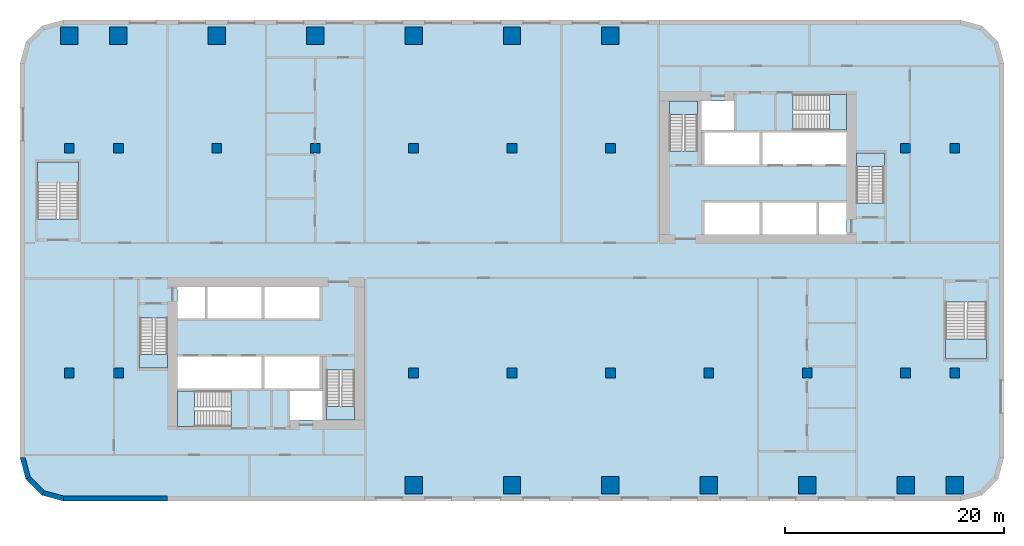
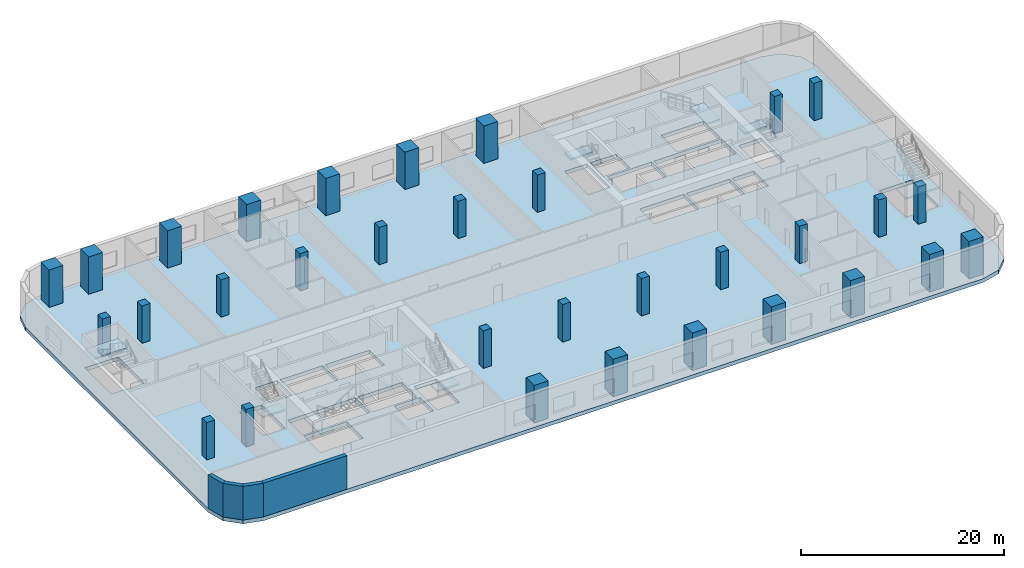
# One storey, part 1 of 15: 32 columns, 9 slabs, 4 walls, 8 elements without a shape of their own.
"""IFC4 building model written with IfcOpenShell, lengths in metres."""

from ifc_helpers import new_model, si_unit, direction, frame, frame_2d, origin, origin_2d, place, context, subcontext, project, spatial, polyline, rectangle, outline, extrude, material, layer, layer_set, material_profile, profile_set, type_object, element, aggregate, save


model = new_model("IFC4")

# Units and contexts
model_context = context("Model", 3, precision=1e-05, world=origin(), true_north=direction((0.0, 1.0)))
body_context = subcontext(model_context, "Body", "Model", "MODEL_VIEW")
ifc_project = project(units=[si_unit("LENGTHUNIT", "METRE"), si_unit("AREAUNIT", "SQUARE_METRE"), si_unit("VOLUMEUNIT", "CUBIC_METRE"), si_unit("PLANEANGLEUNIT", "RADIAN"), si_unit("MASSUNIT", "GRAM", prefix="KILO")], contexts=[model_context])

# Site, building, storey
site_placement = place(None, origin())
site = spatial("IfcSite", under=ifc_project, at=site_placement, CompositionType="ELEMENT")
building_placement = place(site_placement, origin())
building = spatial("IfcBuilding", under=site, at=building_placement, Name="Kajstack Hotel Tower", CompositionType="ELEMENT")
storey_placement = place(building_placement, frame((0.0, 0.0, 29.0)))
storey = spatial("IfcBuildingStorey", under=building, at=storey_placement, Name="L04", CompositionType="ELEMENT", Elevation=29.0)

# Columns
ifc_material_1 = material(Name="Concrete C70/85", Category="concrete")
ifc_material_profile_1 = material_profile(ifc_material_1, rectangle(XDim=1.60009765625, YDim=1.60009765625, at=origin_2d()), Name="RC 1600x1600")
ifc_profile_set_1 = profile_set([ifc_material_profile_1], Name="Concrete C70/85")
column_type_1 = type_object("IfcColumnType", Name="RC 1600x1600 C70/85", PredefinedType="COLUMN", material=ifc_profile_set_1)
for number, where, z_axis, x_axis, name in (
    (1, (-40.5, 20.550048828125, 0.0), (0.0, 0.0, 1.0), (1.0, 0.0, 0.0), "S-col-mega-L04--40p5+20p6"),
    (2, (-36.0, 20.550048828125, 0.0), (0.0, 0.0, 1.0), (1.0, 0.0, 0.0), "S-col-mega-L04--36p0+20p6"),
    (3, (-27.0, 20.550048828125, 0.0), (0.0, 0.0, 1.0), (1.0, 0.0, 0.0), "S-col-mega-L04--27p0+20p6"),
    (4, (-18.0, 20.550048828125, 0.0), (0.0, 0.0, 1.0), (1.0, 0.0, 0.0), "S-col-mega-L04--18p0+20p6"),
    (5, (-9.0, -20.550048828125, 0.0), (0.0, 0.0, 1.0), (1.0, 0.0, 0.0), "S-col-mega-L04--9p0-20p6"),
    (6, (-9.0, 20.550048828125, 0.0), (0.0, 0.0, 1.0), (1.0, 0.0, 0.0), "S-col-mega-L04--9p0+20p6"),
    (7, (0.0, -20.550048828125, 0.0), (0.0, 0.0, 1.0), (1.0, 0.0, 0.0), "S-col-mega-L04-+0p0-20p6"),
    (8, (0.0, 20.550048828125, 0.0), (0.0, 0.0, 1.0), (1.0, 0.0, 0.0), "S-col-mega-L04-+0p0+20p6"),
    (9, (9.0, -20.550048828125, 0.0), (0.0, 0.0, 1.0), (1.0, 0.0, 0.0), "S-col-mega-L04-+9p0-20p6"),
    (10, (9.0, 20.550048828125, 0.0), (0.0, 0.0, 1.0), (1.0, 0.0, 0.0), "S-col-mega-L04-+9p0+20p6"),
    (11, (18.0, -20.550048828125, 0.0), (0.0, 0.0, 1.0), (1.0, 0.0, 0.0), "S-col-mega-L04-+18p0-20p6"),
    (12, (27.0, -20.550048828125, 0.0), (0.0, 0.0, 1.0), (1.0, 0.0, 0.0), "S-col-mega-L04-+27p0-20p6"),
    (13, (36.0, -20.550048828125, 0.0), (0.0, 0.0, 1.0), (1.0, 0.0, 0.0), "S-col-mega-L04-+36p0-20p6"),
    (14, (40.5, -20.550048828125, 0.0), (0.0, 0.0, 1.0), (1.0, 0.0, 0.0), "S-col-mega-L04-+40p5-20p6"),
):
    element("IfcColumn", number, at=place(storey_placement, frame(where, z_axis=z_axis, x_axis=x_axis)), inside=storey, type_object=column_type_1, Name=name, PredefinedType="COLUMN", context=body_context, shape_type="SweptSolid", body=[
        extrude(rectangle(XDim=1.60009765625, YDim=1.60009765625, at=origin_2d()), origin(), (0.0, 0.0, 1.0), 4.5),
    ])
ifc_material_2 = material(Name="Concrete C50/60", Category="concrete")
ifc_material_profile_2 = material_profile(ifc_material_2, rectangle(XDim=0.89990234375, YDim=0.89990234375, at=origin_2d()), Name="RC 900x900")
ifc_profile_set_2 = profile_set([ifc_material_profile_2], Name="Concrete C50/60")
column_type_2 = type_object("IfcColumnType", Name="RC 900x900 C50/60", PredefinedType="COLUMN", material=ifc_profile_set_2)
for number, where, z_axis, x_axis, name in (
    (15, (-40.5, -10.27490234375, 0.0), (0.0, 0.0, 1.0), (1.0, 0.0, 0.0), "S-col-int-L04--40p5-10p3"),
    (16, (-40.5, 10.27490234375, 0.0), (0.0, 0.0, 1.0), (1.0, 0.0, 0.0), "S-col-int-L04--40p5+10p3"),
    (17, (-36.0, -10.27490234375, 0.0), (0.0, 0.0, 1.0), (1.0, 0.0, 0.0), "S-col-int-L04--36p0-10p3"),
    (18, (-36.0, 10.27490234375, 0.0), (0.0, 0.0, 1.0), (1.0, 0.0, 0.0), "S-col-int-L04--36p0+10p3"),
    (19, (-27.0, 10.27490234375, 0.0), (0.0, 0.0, 1.0), (1.0, 0.0, 0.0), "S-col-int-L04--27p0+10p3"),
    (20, (-18.0, 10.27490234375, 0.0), (0.0, 0.0, 1.0), (1.0, 0.0, 0.0), "S-col-int-L04--18p0+10p3"),
    (21, (-9.0, -10.27490234375, 0.0), (0.0, 0.0, 1.0), (1.0, 0.0, 0.0), "S-col-int-L04--9p0-10p3"),
    (22, (-9.0, 10.27490234375, 0.0), (0.0, 0.0, 1.0), (1.0, 0.0, 0.0), "S-col-int-L04--9p0+10p3"),
    (23, (0.0, -10.27490234375, 0.0), (0.0, 0.0, 1.0), (1.0, 0.0, 0.0), "S-col-int-L04-+0p0-10p3"),
    (24, (0.0, 10.27490234375, 0.0), (0.0, 0.0, 1.0), (1.0, 0.0, 0.0), "S-col-int-L04-+0p0+10p3"),
    (25, (9.0, -10.27490234375, 0.0), (0.0, 0.0, 1.0), (1.0, 0.0, 0.0), "S-col-int-L04-+9p0-10p3"),
    (26, (9.0, 10.27490234375, 0.0), (0.0, 0.0, 1.0), (1.0, 0.0, 0.0), "S-col-int-L04-+9p0+10p3"),
    (27, (18.0, -10.27490234375, 0.0), (0.0, 0.0, 1.0), (1.0, 0.0, 0.0), "S-col-int-L04-+18p0-10p3"),
    (28, (27.0, -10.27490234375, 0.0), (0.0, 0.0, 1.0), (1.0, 0.0, 0.0), "S-col-int-L04-+27p0-10p3"),
    (29, (36.0, -10.27490234375, 0.0), (0.0, 0.0, 1.0), (1.0, 0.0, 0.0), "S-col-int-L04-+36p0-10p3"),
    (30, (36.0, 10.27490234375, 0.0), (0.0, 0.0, 1.0), (1.0, 0.0, 0.0), "S-col-int-L04-+36p0+10p3"),
    (31, (40.5, -10.27490234375, 0.0), (0.0, 0.0, 1.0), (1.0, 0.0, 0.0), "S-col-int-L04-+40p5-10p3"),
    (32, (40.5, 10.27490234375, 0.0), (0.0, 0.0, 1.0), (1.0, 0.0, 0.0), "S-col-int-L04-+40p5+10p3"),
):
    element("IfcColumn", number, at=place(storey_placement, frame(where, z_axis=z_axis, x_axis=x_axis)), inside=storey, type_object=column_type_2, Name=name, PredefinedType="COLUMN", context=body_context, shape_type="SweptSolid", body=[
        extrude(rectangle(XDim=0.89990234375, YDim=0.89990234375, at=origin_2d()), origin(), (0.0, 0.0, 1.0), 4.5),
    ])

# Slab
ifc_material_3 = material(Name="Concrete C45/55", Category="concrete")
ifc_layer_1 = layer(ifc_material_3, 0.449951171875)
ifc_layer_set_1 = layer_set([ifc_layer_1], Name="RC slab 450 C45/55 podium")
slab_type_1 = type_object("IfcSlabType", Name="RC slab 450 C45/55 podium", PredefinedType="FLOOR", material=ifc_layer_set_1)
slab_1_placement = place(storey_placement, frame((0.0, 0.0, -0.449951171875)))
element("IfcSlab", 33, at=slab_1_placement, inside=storey, type_object=slab_type_1, Name="S-slab-L04", PredefinedType="FLOOR", context=body_context, shape_type="SweptSolid", body=[
    extrude(outline(polyline([(-45.0, -18.0), (-44.464111328125, -20.0), (-43.0, -21.464111328125), (-41.0, -22.0), (41.0, -22.0), (43.0, -21.464111328125), (44.464111328125, -20.0), (45.0, -18.0), (45.0, 18.0), (44.464111328125, 20.0), (43.0, 21.464111328125), (41.0, 22.0), (-41.0, 22.0), (-43.0, 21.464111328125), (-44.464111328125, 20.0), (-45.0, 18.0), (-45.0, -18.0)]), holes=[polyline([(-30.60009765625, -11.699951171875), (-30.60009765625, -8.800048828125), (-22.89990234375, -8.800048828125), (-22.89990234375, -11.699951171875), (-30.60009765625, -11.699951171875)]), polyline([(-22.64990234375, -11.699951171875), (-22.64990234375, -8.800048828125), (-17.60009765625, -8.800048828125), (-17.60009765625, -11.699951171875), (-22.64990234375, -11.699951171875)]), polyline([(-27.85009765625, -5.300048828125), (-27.85009765625, -2.39990234375), (-22.89990234375, -2.39990234375), (-22.89990234375, -5.300048828125), (-27.85009765625, -5.300048828125)]), polyline([(-22.64990234375, -5.300048828125), (-22.64990234375, -2.39990234375), (-17.60009765625, -2.39990234375), (-17.60009765625, -5.300048828125), (-22.64990234375, -5.300048828125)]), polyline([(-20.300048828125, -14.60009765625), (-17.35009765625, -14.60009765625), (-17.35009765625, -11.949951171875), (-20.300048828125, -11.949951171875), (-20.300048828125, -14.60009765625)]), polyline([(-30.60009765625, -5.300048828125), (-28.10009765625, -5.300048828125), (-28.10009765625, -2.39990234375), (-30.60009765625, -2.39990234375), (-30.60009765625, -5.300048828125)]), polyline([(22.89990234375, 8.800048828125), (22.89990234375, 11.699951171875), (30.60009765625, 11.699951171875), (30.60009765625, 8.800048828125), (22.89990234375, 8.800048828125)]), polyline([(17.60009765625, 8.800048828125), (17.60009765625, 11.699951171875), (22.64990234375, 11.699951171875), (22.64990234375, 8.800048828125), (17.60009765625, 8.800048828125)]), polyline([(22.89990234375, 2.39990234375), (22.89990234375, 5.300048828125), (27.85009765625, 5.300048828125), (27.85009765625, 2.39990234375), (22.89990234375, 2.39990234375)]), polyline([(17.60009765625, 2.39990234375), (17.60009765625, 5.300048828125), (22.64990234375, 5.300048828125), (22.64990234375, 2.39990234375), (17.60009765625, 2.39990234375)]), polyline([(20.300048828125, 14.60009765625), (17.35009765625, 14.60009765625), (17.35009765625, 11.949951171875), (20.300048828125, 11.949951171875), (20.300048828125, 14.60009765625)]), polyline([(30.60009765625, 5.300048828125), (28.10009765625, 5.300048828125), (28.10009765625, 2.39990234375), (30.60009765625, 2.39990234375), (30.60009765625, 5.300048828125)]), polyline([(-34.050048828125, -9.85009765625), (-31.5, -9.85009765625), (-31.5, -5.25), (-34.050048828125, -5.25), (-34.050048828125, -9.85009765625)]), polyline([(-16.949951171875, -14.60009765625), (-14.39990234375, -14.60009765625), (-14.39990234375, -10.0), (-16.949951171875, -10.0), (-16.949951171875, -14.60009765625)]), polyline([(-30.60009765625, -15.199951171875), (-25.699951171875, -15.199951171875), (-25.699951171875, -11.949951171875), (-30.60009765625, -11.949951171875), (-30.60009765625, -15.199951171875)]), polyline([(34.050048828125, 9.85009765625), (31.5, 9.85009765625), (31.5, 5.25), (34.050048828125, 5.25), (34.050048828125, 9.85009765625)]), polyline([(16.949951171875, 14.60009765625), (14.39990234375, 14.60009765625), (14.39990234375, 10.0), (16.949951171875, 10.0), (16.949951171875, 14.60009765625)]), polyline([(30.60009765625, 15.199951171875), (25.699951171875, 15.199951171875), (25.699951171875, 11.949951171875), (30.60009765625, 11.949951171875), (30.60009765625, 15.199951171875)]), polyline([(-43.39990234375, 3.800048828125), (-39.64990234375, 3.800048828125), (-39.64990234375, 9.0), (-43.39990234375, 9.0), (-43.39990234375, 3.800048828125)]), polyline([(39.64990234375, -9.0), (43.39990234375, -9.0), (43.39990234375, -3.800048828125), (39.64990234375, -3.800048828125), (39.64990234375, -9.0)])]), origin(), (0.0, 0.0, 1.0), 0.449951171875),
])

# Stair, slab
ifc_material_4 = material(Name="Concrete C40/50", Category="concrete")
stair_type_1 = type_object("IfcStairType", Name="Exit stair 1200", PredefinedType="HALF_TURN_STAIR", material=ifc_material_4)
stair_1_placement = place(storey_placement, origin())
stair_1 = element("IfcStair", 34, at=stair_1_placement, inside=storey, type_object=stair_type_1, Name="L04 stair W1", PredefinedType="HALF_TURN_STAIR")
ifc_layer_2 = layer(ifc_material_4, 0.199951171875)
ifc_layer_set_2 = layer_set([ifc_layer_2], Name="Stair landing 200")
slab_type_2 = type_object("IfcSlabType", Name="Stair landing 200", PredefinedType="LANDING", material=ifc_layer_set_2)
slab_2_placement = place(storey_placement, frame((0.0, 0.0, 2.050048828125)))
slab_2 = element("IfcSlab", 35, at=slab_2_placement, type_object=slab_type_2, Name="W1 landing 1", PredefinedType="LANDING", context=body_context, shape_type="SweptSolid", body=[
    extrude(outline(polyline([(-34.050048828125, -8.610107421875), (-34.050048828125, -9.85009765625), (-31.5, -9.85009765625), (-31.5, -8.610107421875), (-34.050048828125, -8.610107421875)])), origin(), (0.0, 0.0, 1.0), 0.199951171875),
])
aggregate(stair_1, [slab_2])

stair_2_placement = place(storey_placement, origin())
stair_2 = element("IfcStair", 36, at=stair_2_placement, inside=storey, type_object=stair_type_1, Name="L04 stair W2", PredefinedType="HALF_TURN_STAIR")
slab_3_placement = place(storey_placement, frame((0.0, 0.0, 2.050048828125)))
slab_3 = element("IfcSlab", 37, at=slab_3_placement, type_object=slab_type_2, Name="W2 landing 1", PredefinedType="LANDING", context=body_context, shape_type="SweptSolid", body=[
    extrude(outline(polyline([(-16.949951171875, -13.360107421875), (-16.949951171875, -14.60009765625), (-14.39990234375, -14.60009765625), (-14.39990234375, -13.360107421875), (-16.949951171875, -13.360107421875)])), origin(), (0.0, 0.0, 1.0), 0.199951171875),
])
aggregate(stair_2, [slab_3])

stair_type_2 = type_object("IfcStairType", Name="Exit stair 1500", PredefinedType="HALF_TURN_STAIR", material=ifc_material_4)
stair_3_placement = place(storey_placement, origin())
stair_3 = element("IfcStair", 38, at=stair_3_placement, inside=storey, type_object=stair_type_2, Name="L04 stair W3", PredefinedType="HALF_TURN_STAIR")
slab_4_placement = place(storey_placement, frame((0.0, 0.0, 2.050048828125)))
slab_4 = element("IfcSlab", 39, at=slab_4_placement, type_object=slab_type_2, Name="W3 landing 1", PredefinedType="LANDING", context=body_context, shape_type="SweptSolid", body=[
    extrude(outline(polyline([(-29.06005859375, -11.949951171875), (-30.60009765625, -11.949951171875), (-30.60009765625, -15.199951171875), (-29.06005859375, -15.199951171875), (-29.06005859375, -11.949951171875)])), origin(), (0.0, 0.0, 1.0), 0.199951171875),
])
aggregate(stair_3, [slab_4])

stair_4_placement = place(storey_placement, origin())
stair_4 = element("IfcStair", 40, at=stair_4_placement, inside=storey, type_object=stair_type_1, Name="L04 stair E1", PredefinedType="HALF_TURN_STAIR")
slab_5_placement = place(storey_placement, frame((0.0, 0.0, 2.050048828125)))
slab_5 = element("IfcSlab", 41, at=slab_5_placement, type_object=slab_type_2, Name="E1 landing 1", PredefinedType="LANDING", context=body_context, shape_type="SweptSolid", body=[
    extrude(outline(polyline([(34.050048828125, 8.610107421875), (34.050048828125, 9.85009765625), (31.5, 9.85009765625), (31.5, 8.610107421875), (34.050048828125, 8.610107421875)])), origin(), (0.0, 0.0, 1.0), 0.199951171875),
])
aggregate(stair_4, [slab_5])

stair_5_placement = place(storey_placement, origin())
stair_5 = element("IfcStair", 42, at=stair_5_placement, inside=storey, type_object=stair_type_1, Name="L04 stair E2", PredefinedType="HALF_TURN_STAIR")
slab_6_placement = place(storey_placement, frame((0.0, 0.0, 2.050048828125)))
slab_6 = element("IfcSlab", 43, at=slab_6_placement, type_object=slab_type_2, Name="E2 landing 1", PredefinedType="LANDING", context=body_context, shape_type="SweptSolid", body=[
    extrude(outline(polyline([(16.949951171875, 13.360107421875), (16.949951171875, 14.60009765625), (14.39990234375, 14.60009765625), (14.39990234375, 13.360107421875), (16.949951171875, 13.360107421875)])), origin(), (0.0, 0.0, 1.0), 0.199951171875),
])
aggregate(stair_5, [slab_6])

stair_6_placement = place(storey_placement, origin())
stair_6 = element("IfcStair", 44, at=stair_6_placement, inside=storey, type_object=stair_type_2, Name="L04 stair E3", PredefinedType="HALF_TURN_STAIR")
slab_7_placement = place(storey_placement, frame((0.0, 0.0, 2.050048828125)))
slab_7 = element("IfcSlab", 45, at=slab_7_placement, type_object=slab_type_2, Name="E3 landing 1", PredefinedType="LANDING", context=body_context, shape_type="SweptSolid", body=[
    extrude(outline(polyline([(29.06005859375, 11.949951171875), (30.60009765625, 11.949951171875), (30.60009765625, 15.199951171875), (29.06005859375, 15.199951171875), (29.06005859375, 11.949951171875)])), origin(), (0.0, 0.0, 1.0), 0.199951171875),
])
aggregate(stair_6, [slab_7])

stair_type_3 = type_object("IfcStairType", Name="Escape stair 1800", PredefinedType="HALF_TURN_STAIR", material=ifc_material_4)
stair_7_placement = place(storey_placement, origin())
stair_7 = element("IfcStair", 46, at=stair_7_placement, inside=storey, type_object=stair_type_3, Name="L04 stair P1", PredefinedType="HALF_TURN_STAIR")
slab_8_placement = place(storey_placement, frame((0.0, 0.0, 2.050048828125)))
slab_8 = element("IfcSlab", 47, at=slab_8_placement, type_object=slab_type_2, Name="P1 landing 1", PredefinedType="LANDING", context=body_context, shape_type="SweptSolid", body=[
    extrude(outline(polyline([(-39.64990234375, 7.159912109375), (-39.64990234375, 9.0), (-43.39990234375, 9.0), (-43.39990234375, 7.159912109375), (-39.64990234375, 7.159912109375)])), origin(), (0.0, 0.0, 1.0), 0.199951171875),
])
aggregate(stair_7, [slab_8])

stair_8_placement = place(storey_placement, origin())
stair_8 = element("IfcStair", 48, at=stair_8_placement, inside=storey, type_object=stair_type_3, Name="L04 stair P2", PredefinedType="HALF_TURN_STAIR")
slab_9_placement = place(storey_placement, frame((0.0, 0.0, 2.050048828125)))
slab_9 = element("IfcSlab", 49, at=slab_9_placement, type_object=slab_type_2, Name="P2 landing 1", PredefinedType="LANDING", context=body_context, shape_type="SweptSolid", body=[
    extrude(outline(polyline([(39.64990234375, -7.159912109375), (39.64990234375, -9.0), (43.39990234375, -9.0), (43.39990234375, -7.159912109375), (39.64990234375, -7.159912109375)])), origin(), (0.0, 0.0, 1.0), 0.199951171875),
])
aggregate(stair_8, [slab_9])

# Walls
ifc_material_5 = material(Name="Terracotta-faced brick masonry", Category="masonry")
ifc_layer_3 = layer(ifc_material_5, 0.449951171875)
ifc_layer_set_3 = layer_set([ifc_layer_3], Name="EW-TERRA")
wall_type = type_object("IfcWallType", Name="EW-TERRA", PredefinedType="SOLIDWALL", material=ifc_layer_set_3)
wall_1_placement = place(storey_placement, frame((-44.78271484375, -17.941650390625, 0.0), z_axis=(0.0, 0.0, 1.0), x_axis=(0.25881466832, -0.965926999034, 0.0)))
element("IfcWall", 50, at=wall_1_placement, inside=storey, type_object=wall_type, Name="E-wall-L04-00-00", PredefinedType="SOLIDWALL", context=body_context, shape_type="SweptSolid", body=[
    extrude(outline(polyline([(0.000244140625, -0.22509765625), (2.070556640625, -0.224853515625), (1.9501953125, 0.22509765625), (0.12060546875, 0.22509765625), (0.000244140625, -0.22509765625)])), origin(), (0.0, 0.0, 1.0), 4.050048828125),
])
wall_2_placement = place(storey_placement, frame((-44.304931640625, -19.8408203125, 0.0), z_axis=(0.0, 0.0, 1.0), x_axis=(0.707106781187, -0.707106781187, 0.0)))
element("IfcWall", 51, at=wall_2_placement, inside=storey, type_object=wall_type, Name="E-wall-L04-01-00", PredefinedType="SOLIDWALL", context=body_context, shape_type="SweptSolid", body=[
    extrude(outline(polyline([(0.0, -0.22509765625), (2.070556640625, -0.22509765625), (1.949951171875, 0.224853515625), (0.12060546875, 0.224853515625), (0.0, -0.22509765625)])), origin(), (0.0, 0.0, 1.0), 4.050048828125),
])
wall_3_placement = place(storey_placement, frame((-42.941650390625, -21.246826171875, 0.0), z_axis=(0.0, 0.0, 1.0), x_axis=(0.965926999034, -0.25881466832, 0.0)))
element("IfcWall", 52, at=wall_3_placement, inside=storey, type_object=wall_type, Name="E-wall-L04-02-00", PredefinedType="SOLIDWALL", context=body_context, shape_type="SweptSolid", body=[
    extrude(outline(polyline([(-0.000244140625, -0.224853515625), (2.0703125, -0.22509765625), (1.949951171875, 0.22509765625), (0.120361328125, 0.22509765625), (-0.000244140625, -0.224853515625)])), origin(), (0.0, 0.0, 1.0), 4.050048828125),
])
wall_4_placement = place(storey_placement, frame((-41.0, -21.77490234375, 0.0), z_axis=(0.0, 0.0, 1.0), x_axis=(1.0, 0.0, 0.0)))
element("IfcWall", 53, at=wall_4_placement, inside=storey, type_object=wall_type, Name="E-wall-L04-03-00", PredefinedType="SOLIDWALL", context=body_context, shape_type="SweptSolid", body=[
    extrude(rectangle(XDim=9.5, YDim=0.449951171875, at=frame_2d((4.75, 0.0))), origin(), (0.0, 0.0, 1.0), 4.050048828125),
])

save(model, "model.ifc")
